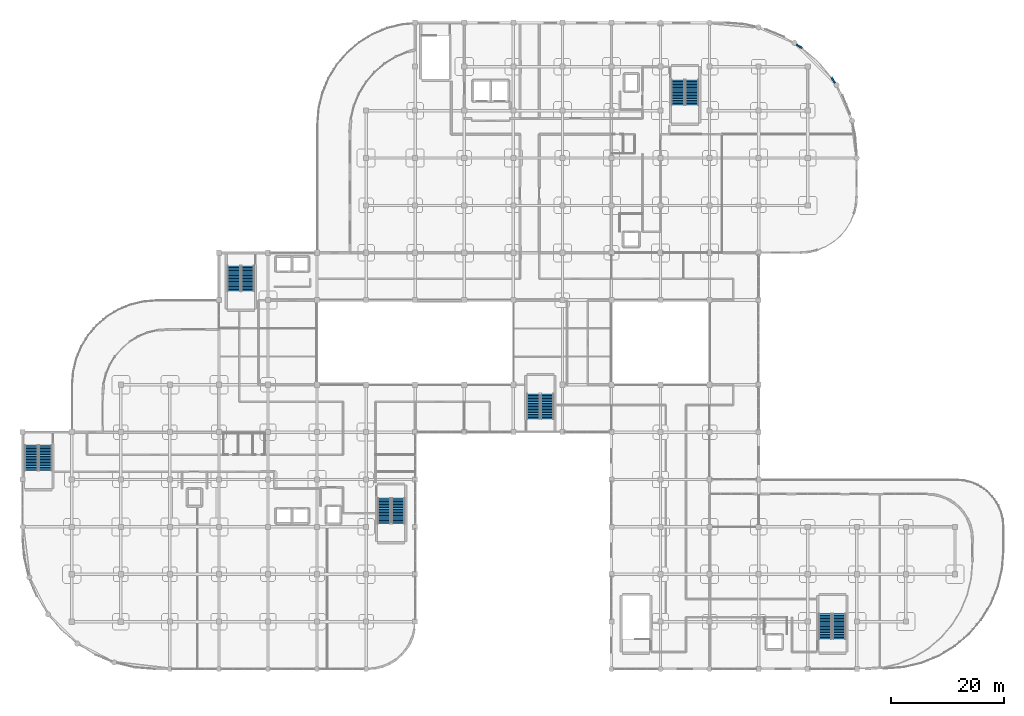
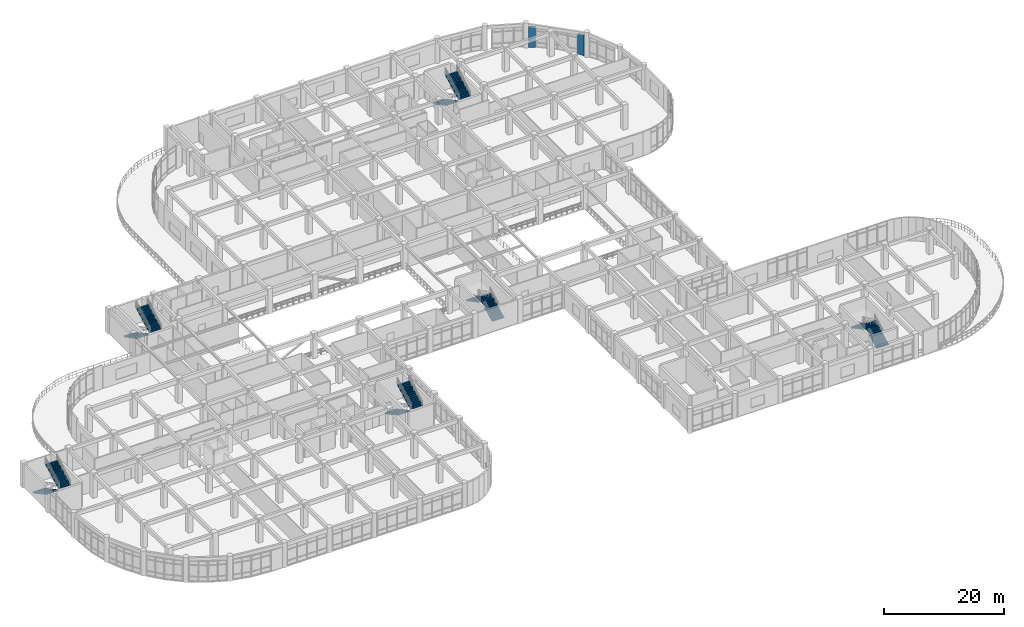
# One storey, part 108 of 120: 12 stair flights, 2 walls, 6 elements without a shape of their own.
"""IFC4 building model written with IfcOpenShell, lengths in metres."""

from ifc_helpers import new_model, si_unit, derived_unit, direction, frame, frame_2d, origin, place, context, subcontext, project, spatial, polyline, rectangle, outline, extrude, material, layer, layer_set, type_object, element, aggregate, save


model = new_model("IFC4")

# Units and contexts
model_context = context("Model", 3, precision=1e-05, world=origin(), true_north=direction((0.0, 1.0)))
body_context = subcontext(model_context, "Body", "Model", "MODEL_VIEW")
ifc_project = project(units=[si_unit("LENGTHUNIT", "METRE"), si_unit("AREAUNIT", "SQUARE_METRE"), si_unit("VOLUMEUNIT", "CUBIC_METRE"), si_unit("PLANEANGLEUNIT", "RADIAN"), si_unit("MASSUNIT", "GRAM", prefix="KILO"), derived_unit("THERMALTRANSMITTANCEUNIT", [(si_unit("MASSUNIT", "GRAM", prefix="KILO"), 1), (si_unit("TIMEUNIT", "SECOND"), -3), (si_unit("THERMODYNAMICTEMPERATUREUNIT", "KELVIN"), -1)])], contexts=[model_context])

# Site, building, storey
site_placement = place(None, origin())
site = spatial("IfcSite", under=ifc_project, at=site_placement, CompositionType="ELEMENT")
building_placement = place(site_placement, origin())
building = spatial("IfcBuilding", under=site, at=building_placement, Name="Qinzheling Arcade Emporium", CompositionType="ELEMENT")
storey_placement = place(building_placement, frame((0.0, 0.0, 11.39990234375)))
storey = spatial("IfcBuildingStorey", under=building, at=storey_placement, Name="L03", CompositionType="ELEMENT", Elevation=11.39990234375)

# Walls
ifc_material_1 = material(Name="Buff glazed terracotta insulated wall", Category="masonry")
ifc_layer = layer(ifc_material_1, 0.2900390625, Name="Buff glazed terracotta insulated wall", Category="masonry")
ifc_layer_set = layer_set([ifc_layer], Name="Buff glazed terracotta insulated wall")
wall_type = type_object("IfcWallType", Name="Office Bar Terracotta Wall 290", PredefinedType="STANDARD", material=ifc_layer_set)
for number, where, z_axis, x_axis, name in (
    (1, (137.222900390625, 110.718994140625, 0.0), (0.0, 0.0, 1.0), (0.852537791363, -0.522665585531, 0.0), "Exterior Wall WL-L03-EW-0191"),
    (2, (143.412109375, 104.9130859375, 0.0), (0.0, 0.0, 1.0), (0.522665585531, -0.852537791363, 0.0), "Exterior Wall WL-L03-EW-0192"),
):
    element("IfcWall", number, at=place(storey_placement, frame(where, z_axis=z_axis, x_axis=x_axis)), inside=storey, type_object=wall_type, Name=name, PredefinedType="STANDARD", context=body_context, shape_type="SweptSolid", body=[
        extrude(rectangle(XDim=1.1611328125, YDim=0.2900390625, at=frame_2d((0.58056640625, 0.0))), origin(), (0.0, 0.0, 1.0), 4.155029296875),
    ])

# Stair, stair flights
ifc_material_2 = material(Name="Concrete C40", Category="concrete")
stair_type = type_object("IfcStairType", Name="Cast-in-Situ Dog-Leg Escape Stair H5100", PredefinedType="HALF_TURN_STAIR", material=ifc_material_2)
stair_1_placement = place(storey_placement, origin())
stair_1 = element("IfcStair", 3, at=stair_1_placement, inside=storey, type_object=stair_type, Name="L03 ST01", PredefinedType="HALF_TURN_STAIR")
stair_flight_type = type_object("IfcStairFlightType", Name="Cast-in-Situ Straight Stair Flight 150x280 H5100", PredefinedType="STRAIGHT", material=ifc_material_2)
stair_flight_1_placement = place(storey_placement, frame((64.110107421875, 30.280029296875, 0.0), z_axis=(0.0, 0.0, 1.0), x_axis=(0.0, -1.0, 0.0)))
stair_flight_1 = element("IfcStairFlight", 4, at=stair_flight_1_placement, type_object=stair_flight_type, Name="ST01 flight 1", NumberOfRisers=17, NumberOfTreads=16, PredefinedType="STRAIGHT", RiserHeight=0.15, TreadLength=0.28, context=body_context, shape_type="SweptSolid", body=[
    extrude(outline(polyline([(0.0, 0.0), (0.0, 0.14990234375), (0.280029296875, 0.14990234375), (0.280029296875, 0.300048828125), (0.56005859375, 0.300048828125), (0.56005859375, 0.449951171875), (0.840087890625, 0.449951171875), (0.840087890625, 0.60009765625), (1.1201171875, 0.60009765625), (1.1201171875, 0.75), (1.39990234375, 0.75), (1.39990234375, 0.89990234375), (1.679931640625, 0.89990234375), (1.679931640625, 1.050048828125), (1.9599609375, 1.050048828125), (1.9599609375, 1.199951171875), (2.239990234375, 1.199951171875), (2.239990234375, 1.35009765625), (2.52001953125, 1.35009765625), (2.52001953125, 1.5), (2.800048828125, 1.5), (2.800048828125, 1.64990234375), (3.080078125, 1.64990234375), (3.080078125, 1.800048828125), (3.360107421875, 1.800048828125), (3.360107421875, 1.949951171875), (3.639892578125, 1.949951171875), (3.639892578125, 2.10009765625), (3.919921875, 2.10009765625), (3.919921875, 2.25), (4.199951171875, 2.25), (4.199951171875, 2.39990234375), (4.47998046875, 2.39990234375), (4.47998046875, 2.550048828125), (4.47998046875, 2.218505859375), (0.338623046875, 0.0), (0.0, 0.0)])), frame((0.0, 1.16015625, 0.0), z_axis=(0.0, -1.0, 0.0), x_axis=(1.0, 0.0, 0.0)), (0.0, 0.0, 1.0), 2.320068359375),
])
stair_flight_2_placement = place(storey_placement, frame((66.580078125, 25.800048828125, 2.550048828125), z_axis=(0.0, 0.0, 1.0), x_axis=(0.0, 1.0, 0.0)))
stair_flight_2 = element("IfcStairFlight", 5, at=stair_flight_2_placement, type_object=stair_flight_type, Name="ST01 flight 2", NumberOfRisers=17, NumberOfTreads=16, PredefinedType="STRAIGHT", RiserHeight=0.15, TreadLength=0.28, context=body_context, shape_type="SweptSolid", body=[
    extrude(outline(polyline([(0.0, 0.0), (0.0, 0.14990234375), (0.280029296875, 0.14990234375), (0.280029296875, 0.300048828125), (0.56005859375, 0.300048828125), (0.56005859375, 0.449951171875), (0.840087890625, 0.449951171875), (0.840087890625, 0.60009765625), (1.1201171875, 0.60009765625), (1.1201171875, 0.75), (1.39990234375, 0.75), (1.39990234375, 0.89990234375), (1.679931640625, 0.89990234375), (1.679931640625, 1.050048828125), (1.9599609375, 1.050048828125), (1.9599609375, 1.199951171875), (2.239990234375, 1.199951171875), (2.239990234375, 1.35009765625), (2.52001953125, 1.35009765625), (2.52001953125, 1.5), (2.800048828125, 1.5), (2.800048828125, 1.64990234375), (3.080078125, 1.64990234375), (3.080078125, 1.800048828125), (3.360107421875, 1.800048828125), (3.360107421875, 1.949951171875), (3.639892578125, 1.949951171875), (3.639892578125, 2.10009765625), (3.919921875, 2.10009765625), (3.919921875, 2.25), (4.199951171875, 2.25), (4.199951171875, 2.39990234375), (4.47998046875, 2.39990234375), (4.47998046875, 2.550048828125), (4.47998046875, 2.218505859375), (0.338623046875, 0.0), (0.0, 0.0)])), frame((0.0, 1.16015625, 0.0), z_axis=(0.0, -1.0, 0.0), x_axis=(1.0, 0.0, 0.0)), (0.0, 0.0, 1.0), 2.320068359375),
])
aggregate(stair_1, [stair_flight_1, stair_flight_2])

stair_2_placement = place(storey_placement, origin())
stair_2 = element("IfcStair", 6, at=stair_2_placement, inside=storey, type_object=stair_type, Name="L03 ST02", PredefinedType="HALF_TURN_STAIR")
stair_flight_3_placement = place(storey_placement, frame((1.56005859375, 39.679931640625, 0.0), z_axis=(0.0, 0.0, 1.0), x_axis=(0.0, -1.0, 0.0)))
stair_flight_3 = element("IfcStairFlight", 7, at=stair_flight_3_placement, type_object=stair_flight_type, Name="ST02 flight 1", NumberOfRisers=17, NumberOfTreads=16, PredefinedType="STRAIGHT", RiserHeight=0.15, TreadLength=0.28, context=body_context, shape_type="SweptSolid", body=[
    extrude(outline(polyline([(0.0, 0.0), (0.0, 0.14990234375), (0.280029296875, 0.14990234375), (0.280029296875, 0.300048828125), (0.56005859375, 0.300048828125), (0.56005859375, 0.449951171875), (0.840087890625, 0.449951171875), (0.840087890625, 0.60009765625), (1.1201171875, 0.60009765625), (1.1201171875, 0.75), (1.39990234375, 0.75), (1.39990234375, 0.89990234375), (1.679931640625, 0.89990234375), (1.679931640625, 1.050048828125), (1.9599609375, 1.050048828125), (1.9599609375, 1.199951171875), (2.239990234375, 1.199951171875), (2.239990234375, 1.35009765625), (2.52001953125, 1.35009765625), (2.52001953125, 1.5), (2.800048828125, 1.5), (2.800048828125, 1.64990234375), (3.080078125, 1.64990234375), (3.080078125, 1.800048828125), (3.360107421875, 1.800048828125), (3.360107421875, 1.949951171875), (3.639892578125, 1.949951171875), (3.639892578125, 2.10009765625), (3.919921875, 2.10009765625), (3.919921875, 2.25), (4.199951171875, 2.25), (4.199951171875, 2.39990234375), (4.47998046875, 2.39990234375), (4.47998046875, 2.550048828125), (4.47998046875, 2.218505859375), (0.338623046875, 0.0), (0.0, 0.0)])), frame((0.0, 1.16015625, 0.0), z_axis=(0.0, -1.0, 0.0), x_axis=(1.0, 0.0, 0.0)), (0.0, 0.0, 1.0), 2.320068359375),
])
stair_flight_4_placement = place(storey_placement, frame((4.030029296875, 35.199951171875, 2.550048828125), z_axis=(0.0, 0.0, 1.0), x_axis=(0.0, 1.0, 0.0)))
stair_flight_4 = element("IfcStairFlight", 8, at=stair_flight_4_placement, type_object=stair_flight_type, Name="ST02 flight 2", NumberOfRisers=17, NumberOfTreads=16, PredefinedType="STRAIGHT", RiserHeight=0.15, TreadLength=0.28, context=body_context, shape_type="SweptSolid", body=[
    extrude(outline(polyline([(0.0, 0.0), (0.0, 0.14990234375), (0.280029296875, 0.14990234375), (0.280029296875, 0.300048828125), (0.56005859375, 0.300048828125), (0.56005859375, 0.449951171875), (0.840087890625, 0.449951171875), (0.840087890625, 0.60009765625), (1.1201171875, 0.60009765625), (1.1201171875, 0.75), (1.39990234375, 0.75), (1.39990234375, 0.89990234375), (1.679931640625, 0.89990234375), (1.679931640625, 1.050048828125), (1.9599609375, 1.050048828125), (1.9599609375, 1.199951171875), (2.239990234375, 1.199951171875), (2.239990234375, 1.35009765625), (2.52001953125, 1.35009765625), (2.52001953125, 1.5), (2.800048828125, 1.5), (2.800048828125, 1.64990234375), (3.080078125, 1.64990234375), (3.080078125, 1.800048828125), (3.360107421875, 1.800048828125), (3.360107421875, 1.949951171875), (3.639892578125, 1.949951171875), (3.639892578125, 2.10009765625), (3.919921875, 2.10009765625), (3.919921875, 2.25), (4.199951171875, 2.25), (4.199951171875, 2.39990234375), (4.47998046875, 2.39990234375), (4.47998046875, 2.550048828125), (4.47998046875, 2.218505859375), (0.338623046875, 0.0), (0.0, 0.0)])), frame((0.0, 1.16015625, 0.0), z_axis=(0.0, -1.0, 0.0), x_axis=(1.0, 0.0, 0.0)), (0.0, 0.0, 1.0), 2.320068359375),
])
aggregate(stair_2, [stair_flight_3, stair_flight_4])

stair_3_placement = place(storey_placement, origin())
stair_3 = element("IfcStair", 9, at=stair_3_placement, inside=storey, type_object=stair_type, Name="L03 ST03", PredefinedType="HALF_TURN_STAIR")
stair_flight_5_placement = place(storey_placement, frame((37.4599609375, 71.47998046875, 0.0), z_axis=(0.0, 0.0, 1.0), x_axis=(0.0, -1.0, 0.0)))
stair_flight_5 = element("IfcStairFlight", 10, at=stair_flight_5_placement, type_object=stair_flight_type, Name="ST03 flight 1", NumberOfRisers=17, NumberOfTreads=16, PredefinedType="STRAIGHT", RiserHeight=0.15, TreadLength=0.28, context=body_context, shape_type="SweptSolid", body=[
    extrude(outline(polyline([(0.0, 0.0), (0.0, 0.14990234375), (0.280029296875, 0.14990234375), (0.280029296875, 0.300048828125), (0.56005859375, 0.300048828125), (0.56005859375, 0.449951171875), (0.840087890625, 0.449951171875), (0.840087890625, 0.60009765625), (1.1201171875, 0.60009765625), (1.1201171875, 0.75), (1.39990234375, 0.75), (1.39990234375, 0.89990234375), (1.679931640625, 0.89990234375), (1.679931640625, 1.050048828125), (1.9599609375, 1.050048828125), (1.9599609375, 1.199951171875), (2.239990234375, 1.199951171875), (2.239990234375, 1.35009765625), (2.52001953125, 1.35009765625), (2.52001953125, 1.5), (2.800048828125, 1.5), (2.800048828125, 1.64990234375), (3.080078125, 1.64990234375), (3.080078125, 1.800048828125), (3.360107421875, 1.800048828125), (3.360107421875, 1.949951171875), (3.639892578125, 1.949951171875), (3.639892578125, 2.10009765625), (3.919921875, 2.10009765625), (3.919921875, 2.25), (4.199951171875, 2.25), (4.199951171875, 2.39990234375), (4.47998046875, 2.39990234375), (4.47998046875, 2.550048828125), (4.47998046875, 2.218505859375), (0.338623046875, 0.0), (0.0, 0.0)])), frame((0.0, 1.16015625, 0.0), z_axis=(0.0, -1.0, 0.0), x_axis=(1.0, 0.0, 0.0)), (0.0, 0.0, 1.0), 2.320068359375),
])
stair_flight_6_placement = place(storey_placement, frame((39.929931640625, 67.0, 2.550048828125), z_axis=(0.0, 0.0, 1.0), x_axis=(0.0, 1.0, 0.0)))
stair_flight_6 = element("IfcStairFlight", 11, at=stair_flight_6_placement, type_object=stair_flight_type, Name="ST03 flight 2", NumberOfRisers=17, NumberOfTreads=16, PredefinedType="STRAIGHT", RiserHeight=0.15, TreadLength=0.28, context=body_context, shape_type="SweptSolid", body=[
    extrude(outline(polyline([(0.0, 0.0), (0.0, 0.14990234375), (0.280029296875, 0.14990234375), (0.280029296875, 0.300048828125), (0.56005859375, 0.300048828125), (0.56005859375, 0.449951171875), (0.840087890625, 0.449951171875), (0.840087890625, 0.60009765625), (1.1201171875, 0.60009765625), (1.1201171875, 0.75), (1.39990234375, 0.75), (1.39990234375, 0.89990234375), (1.679931640625, 0.89990234375), (1.679931640625, 1.050048828125), (1.9599609375, 1.050048828125), (1.9599609375, 1.199951171875), (2.239990234375, 1.199951171875), (2.239990234375, 1.35009765625), (2.52001953125, 1.35009765625), (2.52001953125, 1.5), (2.800048828125, 1.5), (2.800048828125, 1.64990234375), (3.080078125, 1.64990234375), (3.080078125, 1.800048828125), (3.360107421875, 1.800048828125), (3.360107421875, 1.949951171875), (3.639892578125, 1.949951171875), (3.639892578125, 2.10009765625), (3.919921875, 2.10009765625), (3.919921875, 2.25), (4.199951171875, 2.25), (4.199951171875, 2.39990234375), (4.47998046875, 2.39990234375), (4.47998046875, 2.550048828125), (4.47998046875, 2.218505859375), (0.338623046875, 0.0), (0.0, 0.0)])), frame((0.0, 1.16015625, 0.0), z_axis=(0.0, -1.0, 0.0), x_axis=(1.0, 0.0, 0.0)), (0.0, 0.0, 1.0), 2.320068359375),
])
aggregate(stair_3, [stair_flight_5, stair_flight_6])

stair_4_placement = place(storey_placement, origin())
stair_4 = element("IfcStair", 12, at=stair_4_placement, inside=storey, type_object=stair_type, Name="L03 ST04", PredefinedType="HALF_TURN_STAIR")
stair_flight_7_placement = place(storey_placement, frame((93.030029296875, 44.320068359375, 0.0), z_axis=(0.0, 0.0, 1.0), x_axis=(0.0, 1.0, 0.0)))
stair_flight_7 = element("IfcStairFlight", 13, at=stair_flight_7_placement, type_object=stair_flight_type, Name="ST04 flight 1", NumberOfRisers=17, NumberOfTreads=16, PredefinedType="STRAIGHT", RiserHeight=0.15, TreadLength=0.28, context=body_context, shape_type="SweptSolid", body=[
    extrude(outline(polyline([(0.0, 0.0), (0.0, 0.14990234375), (0.280029296875, 0.14990234375), (0.280029296875, 0.300048828125), (0.56005859375, 0.300048828125), (0.56005859375, 0.449951171875), (0.840087890625, 0.449951171875), (0.840087890625, 0.60009765625), (1.1201171875, 0.60009765625), (1.1201171875, 0.75), (1.39990234375, 0.75), (1.39990234375, 0.89990234375), (1.679931640625, 0.89990234375), (1.679931640625, 1.050048828125), (1.9599609375, 1.050048828125), (1.9599609375, 1.199951171875), (2.239990234375, 1.199951171875), (2.239990234375, 1.35009765625), (2.52001953125, 1.35009765625), (2.52001953125, 1.5), (2.800048828125, 1.5), (2.800048828125, 1.64990234375), (3.080078125, 1.64990234375), (3.080078125, 1.800048828125), (3.360107421875, 1.800048828125), (3.360107421875, 1.949951171875), (3.639892578125, 1.949951171875), (3.639892578125, 2.10009765625), (3.919921875, 2.10009765625), (3.919921875, 2.25), (4.199951171875, 2.25), (4.199951171875, 2.39990234375), (4.47998046875, 2.39990234375), (4.47998046875, 2.550048828125), (4.47998046875, 2.218505859375), (0.338623046875, 0.0), (0.0, 0.0)])), frame((0.0, 1.16015625, 0.0), z_axis=(0.0, -1.0, 0.0), x_axis=(1.0, 0.0, 0.0)), (0.0, 0.0, 1.0), 2.320068359375),
])
stair_flight_8_placement = place(storey_placement, frame((90.56005859375, 48.800048828125, 2.550048828125), z_axis=(0.0, 0.0, 1.0), x_axis=(0.0, -1.0, 0.0)))
stair_flight_8 = element("IfcStairFlight", 14, at=stair_flight_8_placement, type_object=stair_flight_type, Name="ST04 flight 2", NumberOfRisers=17, NumberOfTreads=16, PredefinedType="STRAIGHT", RiserHeight=0.15, TreadLength=0.28, context=body_context, shape_type="SweptSolid", body=[
    extrude(outline(polyline([(0.0, 0.0), (0.0, 0.14990234375), (0.280029296875, 0.14990234375), (0.280029296875, 0.300048828125), (0.56005859375, 0.300048828125), (0.56005859375, 0.449951171875), (0.840087890625, 0.449951171875), (0.840087890625, 0.60009765625), (1.1201171875, 0.60009765625), (1.1201171875, 0.75), (1.39990234375, 0.75), (1.39990234375, 0.89990234375), (1.679931640625, 0.89990234375), (1.679931640625, 1.050048828125), (1.9599609375, 1.050048828125), (1.9599609375, 1.199951171875), (2.239990234375, 1.199951171875), (2.239990234375, 1.35009765625), (2.52001953125, 1.35009765625), (2.52001953125, 1.5), (2.800048828125, 1.5), (2.800048828125, 1.64990234375), (3.080078125, 1.64990234375), (3.080078125, 1.800048828125), (3.360107421875, 1.800048828125), (3.360107421875, 1.949951171875), (3.639892578125, 1.949951171875), (3.639892578125, 2.10009765625), (3.919921875, 2.10009765625), (3.919921875, 2.25), (4.199951171875, 2.25), (4.199951171875, 2.39990234375), (4.47998046875, 2.39990234375), (4.47998046875, 2.550048828125), (4.47998046875, 2.218505859375), (0.338623046875, 0.0), (0.0, 0.0)])), frame((0.0, 1.16015625, 0.0), z_axis=(0.0, -1.0, 0.0), x_axis=(1.0, 0.0, 0.0)), (0.0, 0.0, 1.0), 2.320068359375),
])
aggregate(stair_4, [stair_flight_7, stair_flight_8])

stair_5_placement = place(storey_placement, origin())
stair_5 = element("IfcStair", 15, at=stair_5_placement, inside=storey, type_object=stair_type, Name="L03 ST06", PredefinedType="HALF_TURN_STAIR")
stair_flight_9_placement = place(storey_placement, frame((144.784912109375, 5.320068359375, 0.0), z_axis=(0.0, 0.0, 1.0), x_axis=(0.0, 1.0, 0.0)))
stair_flight_9 = element("IfcStairFlight", 16, at=stair_flight_9_placement, type_object=stair_flight_type, Name="ST06 flight 1", NumberOfRisers=17, NumberOfTreads=16, PredefinedType="STRAIGHT", RiserHeight=0.15, TreadLength=0.28, context=body_context, shape_type="SweptSolid", body=[
    extrude(outline(polyline([(0.0, 0.0), (0.0, 0.14990234375), (0.280029296875, 0.14990234375), (0.280029296875, 0.300048828125), (0.56005859375, 0.300048828125), (0.56005859375, 0.449951171875), (0.840087890625, 0.449951171875), (0.840087890625, 0.60009765625), (1.1201171875, 0.60009765625), (1.1201171875, 0.75), (1.39990234375, 0.75), (1.39990234375, 0.89990234375), (1.679931640625, 0.89990234375), (1.679931640625, 1.050048828125), (1.9599609375, 1.050048828125), (1.9599609375, 1.199951171875), (2.239990234375, 1.199951171875), (2.239990234375, 1.35009765625), (2.52001953125, 1.35009765625), (2.52001953125, 1.5), (2.800048828125, 1.5), (2.800048828125, 1.64990234375), (3.080078125, 1.64990234375), (3.080078125, 1.800048828125), (3.360107421875, 1.800048828125), (3.360107421875, 1.949951171875), (3.639892578125, 1.949951171875), (3.639892578125, 2.10009765625), (3.919921875, 2.10009765625), (3.919921875, 2.25), (4.199951171875, 2.25), (4.199951171875, 2.39990234375), (4.47998046875, 2.39990234375), (4.47998046875, 2.550048828125), (4.47998046875, 2.218505859375), (0.338623046875, 0.0), (0.0, 0.0)])), frame((0.0, 1.16015625, 0.0), z_axis=(0.0, -1.0, 0.0), x_axis=(1.0, 0.0, 0.0)), (0.0, 0.0, 1.0), 2.320068359375),
])
stair_flight_10_placement = place(storey_placement, frame((142.31494140625, 9.800048828125, 2.550048828125), z_axis=(0.0, 0.0, 1.0), x_axis=(0.0, -1.0, 0.0)))
stair_flight_10 = element("IfcStairFlight", 17, at=stair_flight_10_placement, type_object=stair_flight_type, Name="ST06 flight 2", NumberOfRisers=17, NumberOfTreads=16, PredefinedType="STRAIGHT", RiserHeight=0.15, TreadLength=0.28, context=body_context, shape_type="SweptSolid", body=[
    extrude(outline(polyline([(0.0, 0.0), (0.0, 0.14990234375), (0.280029296875, 0.14990234375), (0.280029296875, 0.300048828125), (0.56005859375, 0.300048828125), (0.56005859375, 0.449951171875), (0.840087890625, 0.449951171875), (0.840087890625, 0.60009765625), (1.1201171875, 0.60009765625), (1.1201171875, 0.75), (1.39990234375, 0.75), (1.39990234375, 0.89990234375), (1.679931640625, 0.89990234375), (1.679931640625, 1.050048828125), (1.9599609375, 1.050048828125), (1.9599609375, 1.199951171875), (2.239990234375, 1.199951171875), (2.239990234375, 1.35009765625), (2.52001953125, 1.35009765625), (2.52001953125, 1.5), (2.800048828125, 1.5), (2.800048828125, 1.64990234375), (3.080078125, 1.64990234375), (3.080078125, 1.800048828125), (3.360107421875, 1.800048828125), (3.360107421875, 1.949951171875), (3.639892578125, 1.949951171875), (3.639892578125, 2.10009765625), (3.919921875, 2.10009765625), (3.919921875, 2.25), (4.199951171875, 2.25), (4.199951171875, 2.39990234375), (4.47998046875, 2.39990234375), (4.47998046875, 2.550048828125), (4.47998046875, 2.218505859375), (0.338623046875, 0.0), (0.0, 0.0)])), frame((0.0, 1.16015625, 0.0), z_axis=(0.0, -1.0, 0.0), x_axis=(1.0, 0.0, 0.0)), (0.0, 0.0, 1.0), 2.320068359375),
])
aggregate(stair_5, [stair_flight_9, stair_flight_10])

stair_6_placement = place(storey_placement, origin())
stair_6 = element("IfcStair", 18, at=stair_6_placement, inside=storey, type_object=stair_type, Name="L03 ST08", PredefinedType="HALF_TURN_STAIR")
stair_flight_11_placement = place(storey_placement, frame((116.215087890625, 104.47998046875, 0.0), z_axis=(0.0, 0.0, 1.0), x_axis=(0.0, -1.0, 0.0)))
stair_flight_11 = element("IfcStairFlight", 19, at=stair_flight_11_placement, type_object=stair_flight_type, Name="ST08 flight 1", NumberOfRisers=17, NumberOfTreads=16, PredefinedType="STRAIGHT", RiserHeight=0.15, TreadLength=0.28, context=body_context, shape_type="SweptSolid", body=[
    extrude(outline(polyline([(0.0, 0.0), (0.0, 0.14990234375), (0.280029296875, 0.14990234375), (0.280029296875, 0.300048828125), (0.56005859375, 0.300048828125), (0.56005859375, 0.449951171875), (0.840087890625, 0.449951171875), (0.840087890625, 0.60009765625), (1.1201171875, 0.60009765625), (1.1201171875, 0.75), (1.39990234375, 0.75), (1.39990234375, 0.89990234375), (1.679931640625, 0.89990234375), (1.679931640625, 1.050048828125), (1.9599609375, 1.050048828125), (1.9599609375, 1.199951171875), (2.239990234375, 1.199951171875), (2.239990234375, 1.35009765625), (2.52001953125, 1.35009765625), (2.52001953125, 1.5), (2.800048828125, 1.5), (2.800048828125, 1.64990234375), (3.080078125, 1.64990234375), (3.080078125, 1.800048828125), (3.360107421875, 1.800048828125), (3.360107421875, 1.949951171875), (3.639892578125, 1.949951171875), (3.639892578125, 2.10009765625), (3.919921875, 2.10009765625), (3.919921875, 2.25), (4.199951171875, 2.25), (4.199951171875, 2.39990234375), (4.47998046875, 2.39990234375), (4.47998046875, 2.550048828125), (4.47998046875, 2.218505859375), (0.338623046875, 0.0), (0.0, 0.0)])), frame((0.0, 1.16015625, 0.0), z_axis=(0.0, -1.0, 0.0), x_axis=(1.0, 0.0, 0.0)), (0.0, 0.0, 1.0), 2.320068359375),
])
stair_flight_12_placement = place(storey_placement, frame((118.68505859375, 100.0, 2.550048828125), z_axis=(0.0, 0.0, 1.0), x_axis=(0.0, 1.0, 0.0)))
stair_flight_12 = element("IfcStairFlight", 20, at=stair_flight_12_placement, type_object=stair_flight_type, Name="ST08 flight 2", NumberOfRisers=17, NumberOfTreads=16, PredefinedType="STRAIGHT", RiserHeight=0.15, TreadLength=0.28, context=body_context, shape_type="SweptSolid", body=[
    extrude(outline(polyline([(0.0, 0.0), (0.0, 0.14990234375), (0.280029296875, 0.14990234375), (0.280029296875, 0.300048828125), (0.56005859375, 0.300048828125), (0.56005859375, 0.449951171875), (0.840087890625, 0.449951171875), (0.840087890625, 0.60009765625), (1.1201171875, 0.60009765625), (1.1201171875, 0.75), (1.39990234375, 0.75), (1.39990234375, 0.89990234375), (1.679931640625, 0.89990234375), (1.679931640625, 1.050048828125), (1.9599609375, 1.050048828125), (1.9599609375, 1.199951171875), (2.239990234375, 1.199951171875), (2.239990234375, 1.35009765625), (2.52001953125, 1.35009765625), (2.52001953125, 1.5), (2.800048828125, 1.5), (2.800048828125, 1.64990234375), (3.080078125, 1.64990234375), (3.080078125, 1.800048828125), (3.360107421875, 1.800048828125), (3.360107421875, 1.949951171875), (3.639892578125, 1.949951171875), (3.639892578125, 2.10009765625), (3.919921875, 2.10009765625), (3.919921875, 2.25), (4.199951171875, 2.25), (4.199951171875, 2.39990234375), (4.47998046875, 2.39990234375), (4.47998046875, 2.550048828125), (4.47998046875, 2.218505859375), (0.338623046875, 0.0), (0.0, 0.0)])), frame((0.0, 1.16015625, 0.0), z_axis=(0.0, -1.0, 0.0), x_axis=(1.0, 0.0, 0.0)), (0.0, 0.0, 1.0), 2.320068359375),
])
aggregate(stair_6, [stair_flight_11, stair_flight_12])

save(model, "model.ifc")
